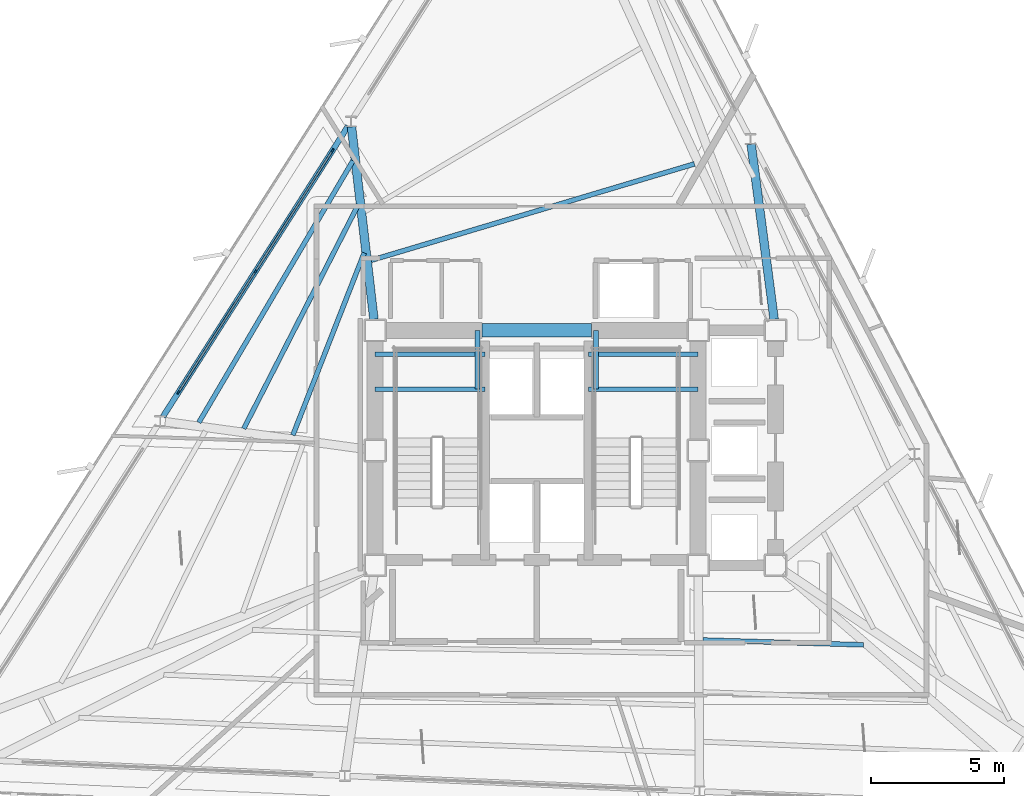
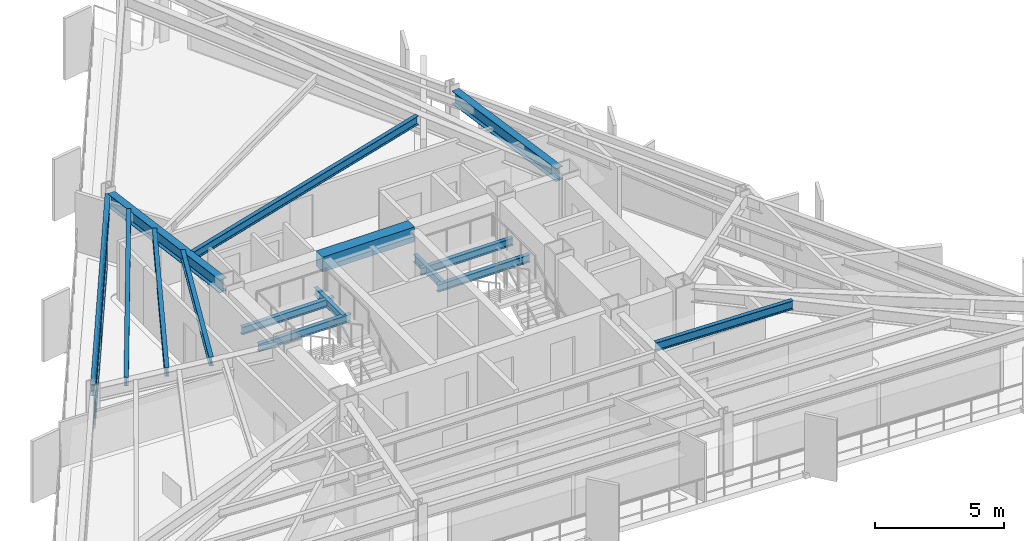
# One storey, part 3 of 12: 15 beams, 7 members, 1 element without a shape of its own.
"""IFC4 building model written with IfcOpenShell, lengths in metres."""

from ifc_helpers import new_model, si_unit, direction, frame, origin, origin_2d, place, context, subcontext, project, spatial, rectangle, i_section, extrude, material, layer, layer_set, material_profile, profile_set, type_object, element, aggregate, save


model = new_model("IFC4")

# Units and contexts
model_context = context("Model", 3, precision=1e-05, world=origin(), true_north=direction((0.0, 1.0)))
body_context = subcontext(model_context, "Body", "Model", "MODEL_VIEW")
ifc_project = project(units=[si_unit("LENGTHUNIT", "METRE"), si_unit("AREAUNIT", "SQUARE_METRE"), si_unit("VOLUMEUNIT", "CUBIC_METRE"), si_unit("PLANEANGLEUNIT", "RADIAN"), si_unit("MASSUNIT", "GRAM", prefix="KILO")], contexts=[model_context])

# Site, building, storey
site_placement = place(None, origin())
site = spatial("IfcSite", under=ifc_project, at=site_placement, CompositionType="ELEMENT")
building_placement = place(site_placement, origin())
building = spatial("IfcBuilding", under=site, at=building_placement, Name="Rocaltana Carrier Exchange", CompositionType="ELEMENT")
storey_placement = place(building_placement, frame((0.0, 0.0, 135.0400390625)))
storey = spatial("IfcBuildingStorey", under=building, at=storey_placement, Name="L42", CompositionType="ELEMENT", Elevation=135.0400390625)

# Curtain wall, members
ifc_material_1 = material(Name="Aluminium 6063-T6", Category="aluminium")
ifc_layer = layer(ifc_material_1, 0.14990234375)
ifc_layer_set = layer_set([ifc_layer], Name="Aluminium 6063-T6")
curtain_wall_type = type_object("IfcCurtainWallType", Name="Mid-Tower Unitised Curtain Wall CW-03", PredefinedType="NOTDEFINED", material=ifc_layer_set)
curtain_wall_placement = place(storey_placement, origin())
curtain_wall = element("IfcCurtainWall", 1, at=curtain_wall_placement, inside=storey, type_object=curtain_wall_type, Name="L42 CW-03 Run CW-L42-F2S2", PredefinedType="NOTDEFINED")
ifc_material_2 = material(Name="Aluminium 6063-T6", Category="aluminium")
ifc_material_profile_1 = material_profile(ifc_material_2, rectangle(XDim=0.06005859375, YDim=0.14990234375, at=origin_2d()), Name="AL-60X150")
ifc_profile_set_1 = profile_set([ifc_material_profile_1], Name="Aluminium 6063-T6")
member_type_1 = type_object("IfcMemberType", Name="CW-03 Mullion AL-60X150", PredefinedType="MULLION", material=ifc_profile_set_1)
member_1_placement = place(storey_placement, frame((-7.6494140625, 11.240478515625, 0.0), z_axis=(0.0, 0.0, 1.0), x_axis=(0.843390685726, -0.537300801443, 0.0)))
member_1 = element("IfcMember", 2, at=member_1_placement, type_object=member_type_1, Name="CW-03 mullion 1", PredefinedType="MULLION", context=body_context, shape_type="SweptSolid", body=[
    extrude(rectangle(XDim=0.06005859375, YDim=0.14990234375, at=origin_2d()), origin(), (0.0, 0.0, 1.0), 2.218017578125),
])
member_2_placement = place(storey_placement, frame((-10.53466796875, 6.71142578125, 0.0), z_axis=(0.0, 0.0, 1.0), x_axis=(0.843390685726, -0.537300801443, 0.0)))
member_2 = element("IfcMember", 3, at=member_2_placement, type_object=member_type_1, Name="CW-03 mullion 2", PredefinedType="MULLION", context=body_context, shape_type="SweptSolid", body=[
    extrude(rectangle(XDim=0.06005859375, YDim=0.14990234375, at=origin_2d()), origin(), (0.0, 0.0, 1.0), 2.218017578125),
])
member_3_placement = place(storey_placement, frame((-13.420166015625, 2.182373046875, 0.0), z_axis=(0.0, 0.0, 1.0), x_axis=(0.843390685726, -0.537300801443, 0.0)))
member_3 = element("IfcMember", 4, at=member_3_placement, type_object=member_type_1, Name="CW-03 mullion 3", PredefinedType="MULLION", context=body_context, shape_type="SweptSolid", body=[
    extrude(rectangle(XDim=0.06005859375, YDim=0.14990234375, at=origin_2d()), origin(), (0.0, 0.0, 1.0), 2.218017578125),
])
ifc_material_3 = material(Name="Aluminium 6063-T6", Category="aluminium")
ifc_material_profile_2 = material_profile(ifc_material_3, rectangle(XDim=0.06005859375, YDim=0.14990234375, at=origin_2d()), Name="AL-60X150")
ifc_profile_set_2 = profile_set([ifc_material_profile_2], Name="Aluminium 6063-T6")
member_type_2 = type_object("IfcMemberType", Name="CW-03 Transom AL-60X150", PredefinedType="USERDEFINED", material=ifc_profile_set_2)
member_4_placement = place(storey_placement, frame((-7.66552734375, 11.215087890625, 0.030029296875), z_axis=(-0.537285975238, -0.843400130906, 0.0), x_axis=(0.843400130906, -0.537285975238, 0.0)))
member_4 = element("IfcMember", 5, at=member_4_placement, type_object=member_type_2, Name="CW-03 transom 1.1", ObjectType="TRANSOM", PredefinedType="USERDEFINED", context=body_context, shape_type="SweptSolid", body=[
    extrude(rectangle(XDim=0.06005859375, YDim=0.14990234375, at=origin_2d()), origin(), (0.0, 0.0, 1.0), 5.31005859375),
])
member_5_placement = place(storey_placement, frame((-7.66552734375, 11.215087890625, 2.18798828125), z_axis=(-0.537285975238, -0.843400130906, 0.0), x_axis=(0.843400130906, -0.537285975238, 0.0)))
member_5 = element("IfcMember", 6, at=member_5_placement, type_object=member_type_2, Name="CW-03 transom 1.2", ObjectType="TRANSOM", PredefinedType="USERDEFINED", context=body_context, shape_type="SweptSolid", body=[
    extrude(rectangle(XDim=0.06005859375, YDim=0.14990234375, at=origin_2d()), origin(), (0.0, 0.0, 1.0), 5.31005859375),
])
member_6_placement = place(storey_placement, frame((-10.55078125, 6.68603515625, 0.030029296875), z_axis=(-0.537318678484, -0.843379296493, 0.0), x_axis=(0.843379296493, -0.537318678484, 0.0)))
member_6 = element("IfcMember", 7, at=member_6_placement, type_object=member_type_2, Name="CW-03 transom 2.1", ObjectType="TRANSOM", PredefinedType="USERDEFINED", context=body_context, shape_type="SweptSolid", body=[
    extrude(rectangle(XDim=0.06005859375, YDim=0.14990234375, at=origin_2d()), origin(), (0.0, 0.0, 1.0), 5.310302734375),
])
member_7_placement = place(storey_placement, frame((-10.55078125, 6.68603515625, 2.18798828125), z_axis=(-0.537318678484, -0.843379296493, 0.0), x_axis=(0.843379296493, -0.537318678484, 0.0)))
member_7 = element("IfcMember", 8, at=member_7_placement, type_object=member_type_2, Name="CW-03 transom 2.2", ObjectType="TRANSOM", PredefinedType="USERDEFINED", context=body_context, shape_type="SweptSolid", body=[
    extrude(rectangle(XDim=0.06005859375, YDim=0.14990234375, at=origin_2d()), origin(), (0.0, 0.0, 1.0), 5.310302734375),
])
aggregate(curtain_wall, [member_1, member_2, member_3, member_4, member_5, member_6, member_7])

# Beams
ifc_material_4 = material(Name="Concrete C60/75", Category="concrete")
ifc_material_profile_3 = material_profile(ifc_material_4, rectangle(XDim=0.5, YDim=0.699951171875, at=origin_2d()), Name="RC-BM-500X700")
ifc_profile_set_3 = profile_set([ifc_material_profile_3], Name="Concrete C60/75")
beam_type_1 = type_object("IfcBeamType", Name="Core Coupling Lintel 500x700", PredefinedType="LINTEL", material=ifc_profile_set_3)
beam_1_placement = place(storey_placement, frame((-2.050048828125, 4.5, 2.43798828125), z_axis=(1.0, 0.0, 0.0), x_axis=(0.0, 1.0, 0.0)))
element("IfcBeam", 9, at=beam_1_placement, inside=storey, type_object=beam_type_1, Name="L42 Core Coupling Lintel CL-N", PredefinedType="LINTEL", context=body_context, shape_type="SweptSolid", body=[
    extrude(rectangle(XDim=0.5, YDim=0.699951171875, at=origin_2d()), origin(), (0.0, 0.0, 1.0), 4.10009765625),
])
ifc_material_5 = material(Name="Steel S355", Category="steel")
ifc_material_profile_4 = material_profile(ifc_material_5, i_section(OverallWidth=0.172119140625, OverallDepth=0.35791015625, WebThickness=0.0078125, FlangeThickness=0.01318359375, FilletRadius=0.011962890625, at=origin_2d()), Name="W14X38")
ifc_profile_set_4 = profile_set([ifc_material_profile_4], Name="Steel S355")
beam_type_2 = type_object("IfcBeamType", Name="Floor Joist W14X38", PredefinedType="JOIST", material=ifc_profile_set_4)
for number, where, z_axis, x_axis, name in (
    (10, (-6.050048828125, 2.300048828125, 1.140869140625), (1.0, 0.0, 0.0), (0.0, 1.0, 0.0), "L42 ST-1 Landing Carrier 1"),
    (11, (1.93994140625, 2.300048828125, 1.140869140625), (1.0, 0.0, 0.0), (0.0, 1.0, 0.0), "L42 ST-2 Landing Carrier 1"),
    (12, (-6.050048828125, 3.60009765625, 1.140869140625), (1.0, 0.0, 0.0), (0.0, 1.0, 0.0), "L42 ST-1 Landing Carrier 2"),
    (13, (1.93994140625, 3.60009765625, 1.140869140625), (1.0, 0.0, 0.0), (0.0, 1.0, 0.0), "L42 ST-2 Landing Carrier 2"),
):
    element("IfcBeam", number, at=place(storey_placement, frame(where, z_axis=z_axis, x_axis=x_axis)), inside=storey, type_object=beam_type_2, Name=name, PredefinedType="JOIST", context=body_context, shape_type="SweptSolid", body=[
        extrude(i_section(OverallWidth=0.172119140625, OverallDepth=0.35791015625, WebThickness=0.0078125, FlangeThickness=0.01318359375, FilletRadius=0.011962890625, at=origin_2d()), origin(), (0.0, 0.0, 1.0), 4.110107421875),
    ])
for number, where, z_axis, x_axis, name in (
    (14, (-2.219970703125, 2.300048828125, 1.140869140625), (0.0, 1.0, 0.0), (-1.0, 0.0, 0.0), "L42 ST-1 Landing Cross Trimmer"),
    (15, (2.219970703125, 2.300048828125, 1.140869140625), (0.0, 1.0, 0.0), (-1.0, 0.0, 0.0), "L42 ST-2 Landing Cross Trimmer"),
):
    element("IfcBeam", number, at=place(storey_placement, frame(where, z_axis=z_axis, x_axis=x_axis)), inside=storey, type_object=beam_type_2, Name=name, PredefinedType="JOIST", context=body_context, shape_type="SweptSolid", body=[
        extrude(i_section(OverallWidth=0.172119140625, OverallDepth=0.35791015625, WebThickness=0.0078125, FlangeThickness=0.01318359375, FilletRadius=0.011962890625, at=origin_2d()), origin(), (0.0, 0.0, 1.0), 2.199951171875),
    ])
ifc_material_6 = material(Name="Steel S355", Category="steel")
ifc_material_profile_5 = material_profile(ifc_material_6, i_section(OverallWidth=0.179931640625, OverallDepth=0.4130859375, WebThickness=0.009765625, FlangeThickness=0.01611328125, FilletRadius=0.012939453125, at=origin_2d()), Name="W16X50")
ifc_profile_set_5 = profile_set([ifc_material_profile_5], Name="Steel S355")
beam_type_3 = type_object("IfcBeamType", Name="Floor Joist W16X50", PredefinedType="JOIST", material=ifc_profile_set_5)
beam_2_placement = place(storey_placement, frame((5.907958984375, 10.737548828125, 2.58154296875), z_axis=(-0.958271792159, -0.285858658, 0.0), x_axis=(0.285858658, -0.958271792159, 0.0)))
element("IfcBeam", 16, at=beam_2_placement, inside=storey, type_object=beam_type_3, Name="FJ-L42-05-1", PredefinedType="JOIST", context=body_context, shape_type="SweptSolid", body=[
    extrude(i_section(OverallWidth=0.179931640625, OverallDepth=0.4130859375, WebThickness=0.009765625, FlangeThickness=0.01611328125, FilletRadius=0.012939453125, at=origin_2d()), origin(), (0.0, 0.0, 1.0), 12.63671875),
])
beam_3_placement = place(storey_placement, frame((-6.46240234375, 7.404541015625, 2.58154296875), z_axis=(-0.364527375861, -0.931192671926, 0.0), x_axis=(0.931192671926, -0.364527375861, 0.0)))
element("IfcBeam", 17, at=beam_3_placement, inside=storey, type_object=beam_type_3, Name="FJ-L42-06-1", PredefinedType="JOIST", context=body_context, shape_type="SweptSolid", body=[
    extrude(i_section(OverallWidth=0.179931640625, OverallDepth=0.4130859375, WebThickness=0.009765625, FlangeThickness=0.01611328125, FilletRadius=0.012939453125, at=origin_2d()), origin(), (0.0, 0.0, 1.0), 7.333740234375),
])
beam_4_placement = place(storey_placement, frame((-6.686279296875, 9.20947265625, 2.58154296875), z_axis=(-0.455271338629, -0.890352743705, 0.0), x_axis=(0.890352743705, -0.455271338629, 0.0)))
element("IfcBeam", 18, at=beam_4_placement, inside=storey, type_object=beam_type_3, Name="FJ-L42-06-2", PredefinedType="JOIST", context=body_context, shape_type="SweptSolid", body=[
    extrude(i_section(OverallWidth=0.179931640625, OverallDepth=0.4130859375, WebThickness=0.009765625, FlangeThickness=0.01611328125, FilletRadius=0.012939453125, at=origin_2d()), origin(), (0.0, 0.0, 1.0), 9.419921875),
])
beam_5_placement = place(storey_placement, frame((-6.885986328125, 10.856201171875, 2.58154296875), z_axis=(-0.507296695283, -0.86177146794, 0.0), x_axis=(0.86177146794, -0.507296695283, 0.0)))
element("IfcBeam", 19, at=beam_5_placement, inside=storey, type_object=beam_type_3, Name="FJ-L42-06-3", PredefinedType="JOIST", context=body_context, shape_type="SweptSolid", body=[
    extrude(i_section(OverallWidth=0.179931640625, OverallDepth=0.4130859375, WebThickness=0.009765625, FlangeThickness=0.01611328125, FilletRadius=0.012939453125, at=origin_2d()), origin(), (0.0, 0.0, 1.0), 11.37939453125),
])
beam_6_placement = place(storey_placement, frame((6.221923828125, -7.099609375, 2.58154296875), z_axis=(0.999543297857, -0.030219128192, 0.0), x_axis=(0.030219128192, 0.999543297857, 0.0)))
element("IfcBeam", 20, at=beam_6_placement, inside=storey, type_object=beam_type_3, Name="FJ-L42-11-1", PredefinedType="JOIST", context=body_context, shape_type="SweptSolid", body=[
    extrude(i_section(OverallWidth=0.179931640625, OverallDepth=0.4130859375, WebThickness=0.009765625, FlangeThickness=0.01611328125, FilletRadius=0.012939453125, at=origin_2d()), origin(), (0.0, 0.0, 1.0), 6.018798828125),
])
ifc_material_7 = material(Name="Steel S355", Category="steel")
ifc_material_profile_6 = material_profile(ifc_material_7, i_section(OverallWidth=0.323974609375, OverallDepth=0.611083984375, WebThickness=0.0126953125, FlangeThickness=0.01904296875, FilletRadius=0.01611328125, at=origin_2d()), Name="W24X104")
ifc_profile_set_6 = profile_set([ifc_material_profile_6], Name="Steel S355")
beam_type_4 = type_object("IfcBeamType", Name="Radial Girder W24X104", PredefinedType="BEAM", material=ifc_profile_set_6)
beam_7_placement = place(storey_placement, frame((8.895751953125, 4.91357421875, 2.482421875), z_axis=(-0.130195806294, 0.991488301506, 0.0), x_axis=(-0.991488301506, -0.130195806294, 0.0)))
element("IfcBeam", 21, at=beam_7_placement, inside=storey, type_object=beam_type_4, Name="RG-L42-03", PredefinedType="BEAM", context=body_context, shape_type="SweptSolid", body=[
    extrude(i_section(OverallWidth=0.323974609375, OverallDepth=0.611083984375, WebThickness=0.0126953125, FlangeThickness=0.01904296875, FilletRadius=0.01611328125, at=origin_2d()), origin(), (0.0, 0.0, 1.0), 6.61572265625),
])
beam_8_placement = place(storey_placement, frame((-6.098388671875, 4.914306640625, 2.482421875), z_axis=(-0.115803295245, 0.993272166534, 0.0), x_axis=(-0.993272166534, -0.115803295245, 0.0)))
element("IfcBeam", 22, at=beam_8_placement, inside=storey, type_object=beam_type_4, Name="RG-L42-06", PredefinedType="BEAM", context=body_context, shape_type="SweptSolid", body=[
    extrude(i_section(OverallWidth=0.323974609375, OverallDepth=0.611083984375, WebThickness=0.0126953125, FlangeThickness=0.01904296875, FilletRadius=0.01611328125, at=origin_2d()), origin(), (0.0, 0.0, 1.0), 7.2607421875),
])
ifc_material_8 = material(Name="Steel S355", Category="steel")
ifc_material_profile_7 = material_profile(ifc_material_8, i_section(OverallWidth=0.2119140625, OverallDepth=0.5439453125, WebThickness=0.01318359375, FlangeThickness=0.021240234375, FilletRadius=0.014892578125, at=origin_2d()), Name="W21X83")
ifc_profile_set_7 = profile_set([ifc_material_profile_7], Name="Steel S355")
beam_type_5 = type_object("IfcBeamType", Name="Spandrel Edge Beam W21X83", PredefinedType="SPANDREL", material=ifc_profile_set_7)
beam_9_placement = place(storey_placement, frame((-7.06640625, 12.155517578125, 2.515869140625), z_axis=(-0.537298808094, -0.84339195563, 0.0), x_axis=(0.84339195563, -0.537298808094, 0.0)))
element("IfcBeam", 23, at=beam_9_placement, inside=storey, type_object=beam_type_5, Name="SP-L42-06", PredefinedType="SPANDREL", context=body_context, shape_type="SweptSolid", body=[
    extrude(i_section(OverallWidth=0.2119140625, OverallDepth=0.5439453125, WebThickness=0.01318359375, FlangeThickness=0.021240234375, FilletRadius=0.014892578125, at=origin_2d()), origin(), (0.0, 0.0, 1.0), 12.909912109375),
])

save(model, "model.ifc")
